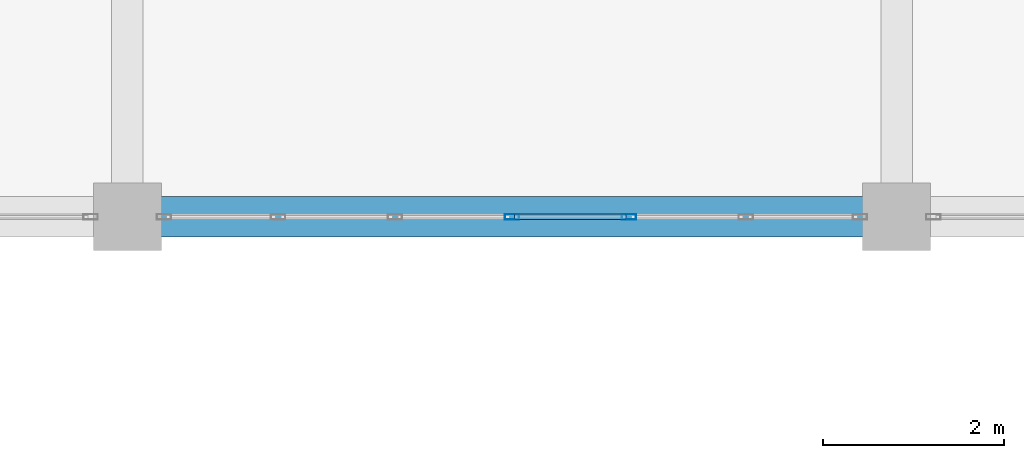
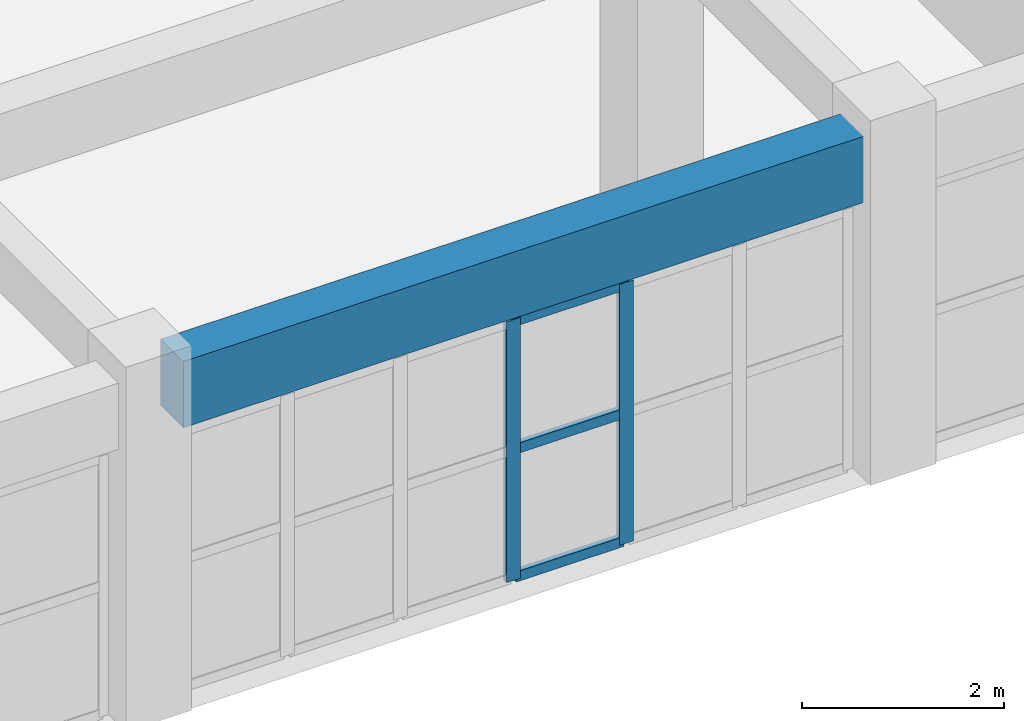
# One storey, part 11 of 90: 5 members, 1 beam, 1 element without a shape of its own.
"""IFC4 building model written with IfcOpenShell, lengths in metres."""

from ifc_helpers import new_model, si_unit, direction, frame, origin, origin_2d, place, context, subcontext, project, spatial, rectangle, hollow_rectangle, extrude, material, layer, layer_set, material_profile, profile_set, type_object, element, aggregate, save


model = new_model("IFC4")

# Units and contexts
model_context = context("Model", 3, precision=1e-05, world=origin(), true_north=direction((0.0, 1.0)))
body_context = subcontext(model_context, "Body", "Model", "MODEL_VIEW")
ifc_project = project(units=[si_unit("LENGTHUNIT", "METRE"), si_unit("AREAUNIT", "SQUARE_METRE"), si_unit("VOLUMEUNIT", "CUBIC_METRE"), si_unit("PLANEANGLEUNIT", "RADIAN"), si_unit("MASSUNIT", "GRAM", prefix="KILO")], contexts=[model_context])

# Site, building, storey
site_placement = place(None, origin())
site = spatial("IfcSite", under=ifc_project, at=site_placement, CompositionType="ELEMENT")
building_placement = place(site_placement, origin())
building = spatial("IfcBuilding", under=site, at=building_placement, Name="Muzn Square Opera House", CompositionType="ELEMENT")
storey_placement = place(building_placement, frame((0.0, 0.0, 9.800048828125)))
storey = spatial("IfcBuildingStorey", under=building, at=storey_placement, Name="L02", CompositionType="ELEMENT", Elevation=9.800048828125)

# Curtain wall, members
ifc_material_1 = material(Name="Low-E laminated acoustic double glazing", Category="glass")
ifc_layer = layer(ifc_material_1, 0.159912109375, Name="Low-E laminated acoustic double glazing", Category="glass")
ifc_layer_set = layer_set([ifc_layer], Name="Low-E laminated acoustic double glazing")
curtain_wall_type = type_object("IfcCurtainWallType", Name="Glazed Curtain Wall WestCloisterN 7750x3150", PredefinedType="USERDEFINED", material=ifc_layer_set)
curtain_wall_placement = place(storey_placement, origin())
curtain_wall = element("IfcCurtainWall", 1, at=curtain_wall_placement, inside=storey, type_object=curtain_wall_type, Name="Glazed Curtain Wall CW-L02-096", ObjectType="GLAZED CURTAIN WALL", PredefinedType="USERDEFINED")
ifc_material_2 = material(Name="Anodised bronze aluminium 6063-T6", Category="metal")
ifc_material_profile_1 = material_profile(ifc_material_2, hollow_rectangle(XDim=0.06005859375, YDim=0.159912109375, WallThickness=0.00390625, at=origin_2d()), Name="ALU 160x60x4", Category="metal")
ifc_profile_set_1 = profile_set([ifc_material_profile_1], Name="Anodised bronze aluminium 6063-T6")
member_type_1 = type_object("IfcMemberType", Name="Curtain Wall Mullion 160x60", PredefinedType="MULLION", material=ifc_profile_set_1)
member_1_placement = place(storey_placement, frame((30.75, 54.199951171875, 0.0), z_axis=(0.0, 0.0, 1.0), x_axis=(0.0, 1.0, 0.0)))
member_1 = element("IfcMember", 2, at=member_1_placement, type_object=member_type_1, Name="CW-WCN-77x31 mullion 4", PredefinedType="MULLION", context=body_context, shape_type="SweptSolid", body=[
    extrude(hollow_rectangle(XDim=0.06005859375, YDim=0.159912109375, WallThickness=0.00390625, at=origin_2d()), origin(), (0.0, 0.0, 1.0), 3.14990234375),
])
member_2_placement = place(storey_placement, frame((32.041748046875, 54.199951171875, 0.0), z_axis=(0.0, 0.0, 1.0), x_axis=(0.0, 1.0, 0.0)))
member_2 = element("IfcMember", 3, at=member_2_placement, type_object=member_type_1, Name="CW-WCN-77x31 mullion 5", PredefinedType="MULLION", context=body_context, shape_type="SweptSolid", body=[
    extrude(hollow_rectangle(XDim=0.06005859375, YDim=0.159912109375, WallThickness=0.00390625, at=origin_2d()), origin(), (0.0, 0.0, 1.0), 3.14990234375),
])
ifc_material_profile_2 = material_profile(ifc_material_2, hollow_rectangle(XDim=0.06005859375, YDim=0.1201171875, WallThickness=0.00390625, at=origin_2d()), Name="ALU 120x60x4", Category="metal")
ifc_profile_set_2 = profile_set([ifc_material_profile_2], Name="Anodised bronze aluminium 6063-T6")
member_type_2 = type_object("IfcMemberType", Name="Curtain Wall Transom 120x60", PredefinedType="USERDEFINED", material=ifc_profile_set_2)
member_3_placement = place(storey_placement, frame((30.780029296875, 54.199951171875, 0.030029296875), z_axis=(1.0, 0.0, 0.0), x_axis=(0.0, 1.0, 0.0)))
member_3 = element("IfcMember", 4, at=member_3_placement, type_object=member_type_2, Name="CW-WCN-77x31 transom 4.1", ObjectType="TRANSOM", PredefinedType="USERDEFINED", context=body_context, shape_type="SweptSolid", body=[
    extrude(hollow_rectangle(XDim=0.06005859375, YDim=0.1201171875, WallThickness=0.00390625, at=origin_2d()), origin(), (0.0, 0.0, 1.0), 1.231689453125),
])
member_4_placement = place(storey_placement, frame((30.780029296875, 54.199951171875, 1.574951171875), z_axis=(1.0, 0.0, 0.0), x_axis=(0.0, 1.0, 0.0)))
member_4 = element("IfcMember", 5, at=member_4_placement, type_object=member_type_2, Name="CW-WCN-77x31 transom 4.2", ObjectType="TRANSOM", PredefinedType="USERDEFINED", context=body_context, shape_type="SweptSolid", body=[
    extrude(hollow_rectangle(XDim=0.06005859375, YDim=0.1201171875, WallThickness=0.00390625, at=origin_2d()), origin(), (0.0, 0.0, 1.0), 1.231689453125),
])
member_5_placement = place(storey_placement, frame((30.780029296875, 54.199951171875, 3.119873046875), z_axis=(1.0, 0.0, 0.0), x_axis=(0.0, 1.0, 0.0)))
member_5 = element("IfcMember", 6, at=member_5_placement, type_object=member_type_2, Name="CW-WCN-77x31 transom 4.3", ObjectType="TRANSOM", PredefinedType="USERDEFINED", context=body_context, shape_type="SweptSolid", body=[
    extrude(hollow_rectangle(XDim=0.06005859375, YDim=0.1201171875, WallThickness=0.00390625, at=origin_2d()), origin(), (0.0, 0.0, 1.0), 1.231689453125),
])
aggregate(curtain_wall, [member_1, member_2, member_3, member_4, member_5])

# Beam
ifc_material_3 = material(Name="Concrete C40/50", Category="concrete")
ifc_material_profile_3 = material_profile(ifc_material_3, rectangle(XDim=0.449951171875, YDim=0.800048828125, at=origin_2d()), Name="RCB 450x800", Category="concrete")
ifc_profile_set_3 = profile_set([ifc_material_profile_3], Name="Concrete C40/50")
beam_type = type_object("IfcBeamType", Name="Primary Girder 450x800", PredefinedType="BEAM", material=ifc_profile_set_3)
beam_placement = place(storey_placement, frame((26.866943359375, 54.199951171875, 3.719970703125), z_axis=(1.0, 0.0, 0.0), x_axis=(0.0, 1.0, 0.0)))
element("IfcBeam", 7, at=beam_placement, inside=storey, type_object=beam_type, Name="Primary Girder BM-L02-BM-PG800-269_542_346_542-2010", PredefinedType="BEAM", context=body_context, shape_type="SweptSolid", body=[
    extrude(rectangle(XDim=0.449951171875, YDim=0.800048828125, at=origin_2d()), origin(), (0.0, 0.0, 1.0), 7.76611328125),
])

save(model, "model.ifc")
